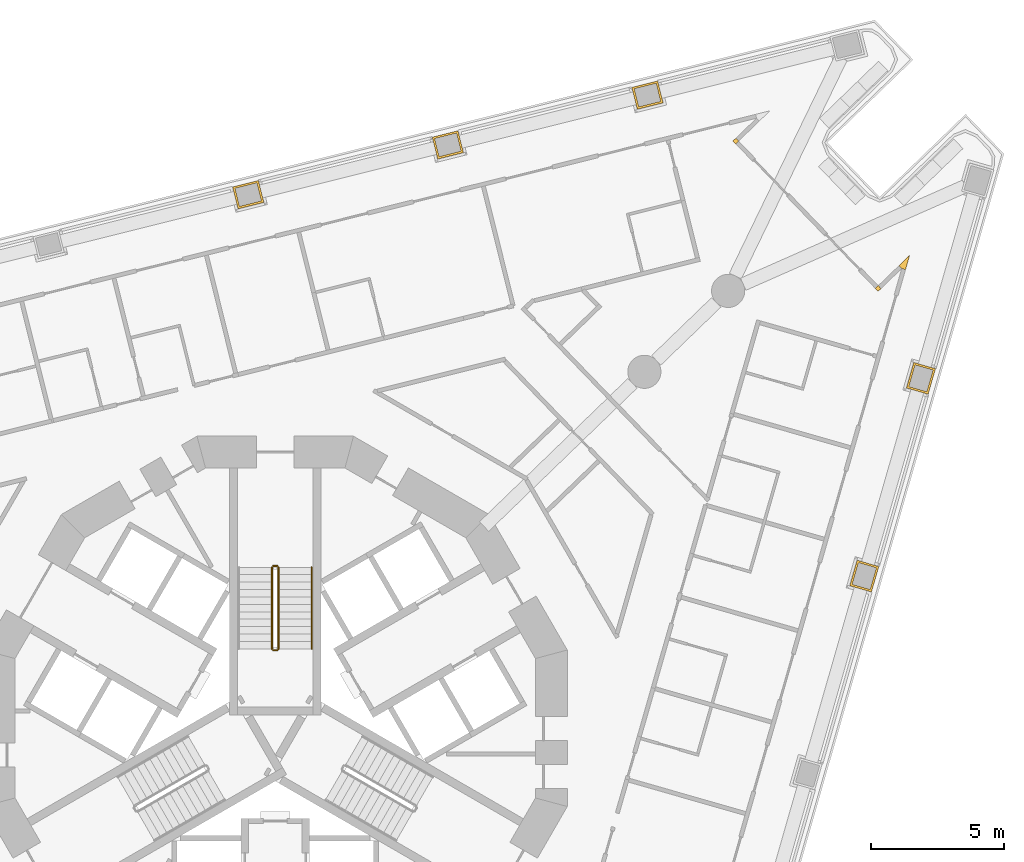
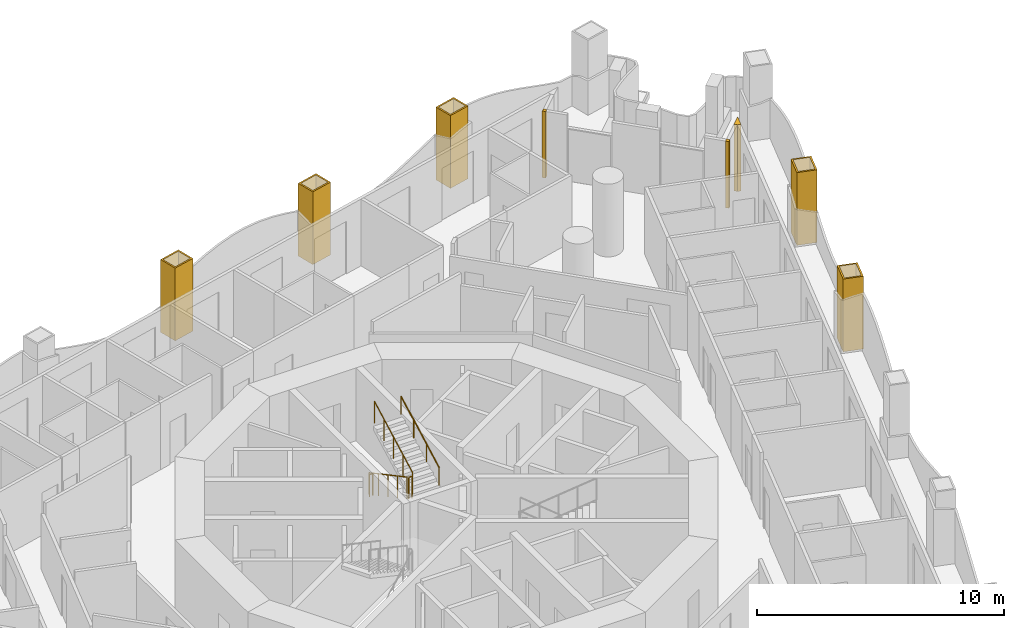
# One storey, part 18 of 20: 8 coverings, 5 railings.
"""IFC4 building model written with IfcOpenShell, lengths in metres."""

from ifc_helpers import new_model, si_unit, direction, frame, origin, origin_2d, place, context, subcontext, project, spatial, polyline, circle, outline, extrude, material, layer, layer_set, type_object, element, save


model = new_model("IFC4")

# Units and contexts
model_context = context("Model", 3, precision=1e-05, world=origin(), true_north=direction((0.0, 1.0)))
body_context = subcontext(model_context, "Body", "Model", "MODEL_VIEW")
ifc_project = project(units=[si_unit("LENGTHUNIT", "METRE"), si_unit("AREAUNIT", "SQUARE_METRE"), si_unit("VOLUMEUNIT", "CUBIC_METRE"), si_unit("PLANEANGLEUNIT", "RADIAN"), si_unit("MASSUNIT", "GRAM", prefix="KILO")], contexts=[model_context])

# Site, building, storey
site_placement = place(None, origin())
site = spatial("IfcSite", under=ifc_project, at=site_placement, CompositionType="ELEMENT")
building_placement = place(site_placement, origin())
building = spatial("IfcBuilding", under=site, at=building_placement, Name="Trine Commons Tower", CompositionType="ELEMENT")
storey_placement = place(building_placement, frame((0.0, 0.0, 112.5)))
storey = spatial("IfcBuildingStorey", under=building, at=storey_placement, Name="L28", CompositionType="ELEMENT", Elevation=112.5)

# Coverings
ifc_material_1 = material(Name="Aluminium-framed insulated wall panel", Category="aluminium")
ifc_layer_1 = layer(ifc_material_1, 0.14990234375)
ifc_layer_set_1 = layer_set([ifc_layer_1], Name="Aluminium-framed insulated wall panel")
covering_type_1 = type_object("IfcCoveringType", Name="Glazing corner post, aluminium", PredefinedType="CLADDING", material=ifc_layer_set_1)
covering_1_placement = place(storey_placement, origin())
element("IfcCovering", 1, at=covering_1_placement, inside=storey, type_object=covering_type_1, Name="Glazing corner post 3-06", PredefinedType="CLADDING", context=body_context, shape_type="SweptSolid", body=[
    extrude(outline(polyline([(97.36328125, 84.536376953125), (97.47119140625, 84.640380859375), (97.47119140625, 84.640380859375), (97.366943359375, 84.748291015625), (97.259033203125, 84.644287109375), (97.36328125, 84.536376953125)])), origin(), (0.0, 0.0, 1.0), 3.300048828125),
])
covering_2_placement = place(storey_placement, origin())
element("IfcCovering", 2, at=covering_2_placement, inside=storey, type_object=covering_type_1, Name="Glazing corner post 3-07", PredefinedType="CLADDING", context=body_context, shape_type="SweptSolid", body=[
    extrude(outline(polyline([(102.62890625, 79.083740234375), (102.73291015625, 78.975830078125), (102.8408203125, 79.080078125), (102.73681640625, 79.18798828125), (102.73681640625, 79.18798828125), (102.62890625, 79.083740234375)])), origin(), (0.0, 0.0, 1.0), 3.300048828125),
])
covering_3_placement = place(storey_placement, origin())
element("IfcCovering", 3, at=covering_3_placement, inside=storey, type_object=covering_type_1, Name="Glazing corner post 3-08", PredefinedType="CLADDING", context=body_context, shape_type="SweptSolid", body=[
    extrude(outline(polyline([(103.76611328125, 79.79296875), (103.92041015625, 80.3310546875), (103.517578125, 79.942138671875), (103.621826171875, 79.834228515625), (103.76611328125, 79.79296875)])), origin(), (0.0, 0.0, 1.0), 3.300048828125),
])
ifc_material_2 = material(Name="Limestone, honed", Category="masonry")
ifc_layer_2 = layer(ifc_material_2, 0.074951171875)
ifc_layer_set_2 = layer_set([ifc_layer_2], Name="Limestone, honed")
covering_type_2 = type_object("IfcCoveringType", Name="Limestone column cladding 75", PredefinedType="CLADDING", material=ifc_layer_set_2)
covering_4_placement = place(storey_placement, origin())
element("IfcCovering", 4, at=covering_4_placement, inside=storey, type_object=covering_type_2, Name="Limestone pier cladding 3-13", PredefinedType="CLADDING", context=body_context, shape_type="SweptSolid", body=[
    extrude(outline(polyline([(79.569091796875, 82.32861328125), (79.36328125, 83.1533203125), (78.39306640625, 82.91162109375), (78.598876953125, 82.0869140625), (79.569091796875, 82.32861328125)]), holes=[polyline([(79.47802734375, 82.38330078125), (79.308837890625, 83.0625), (78.484130859375, 82.85693359375), (78.6533203125, 82.177734375), (79.47802734375, 82.38330078125)])]), origin(), (0.0, 0.0, 1.0), 3.60009765625),
])
covering_5_placement = place(storey_placement, origin())
element("IfcCovering", 5, at=covering_5_placement, inside=storey, type_object=covering_type_2, Name="Limestone pier cladding 3-14", PredefinedType="CLADDING", context=body_context, shape_type="SweptSolid", body=[
    extrude(outline(polyline([(87.09619140625, 84.205322265625), (86.890625, 85.030029296875), (85.92041015625, 84.7880859375), (86.1259765625, 83.96337890625), (87.09619140625, 84.205322265625)]), holes=[polyline([(87.00537109375, 84.260009765625), (86.8359375, 84.939208984375), (86.01123046875, 84.733642578125), (86.1806640625, 84.054443359375), (87.00537109375, 84.260009765625)])]), origin(), (0.0, 0.0, 1.0), 3.60009765625),
])
covering_6_placement = place(storey_placement, origin())
element("IfcCovering", 6, at=covering_6_placement, inside=storey, type_object=covering_type_2, Name="Limestone pier cladding 3-15", PredefinedType="CLADDING", context=body_context, shape_type="SweptSolid", body=[
    extrude(outline(polyline([(94.62353515625, 86.082275390625), (94.417724609375, 86.906982421875), (93.447509765625, 86.6650390625), (93.6533203125, 85.84033203125), (94.62353515625, 86.082275390625)]), holes=[polyline([(94.532470703125, 86.13671875), (94.36328125, 86.81591796875), (93.53857421875, 86.6103515625), (93.707763671875, 85.93115234375), (94.532470703125, 86.13671875)])]), origin(), (0.0, 0.0, 1.0), 3.60009765625),
])
covering_7_placement = place(storey_placement, origin())
element("IfcCovering", 7, at=covering_7_placement, inside=storey, type_object=covering_type_2, Name="Limestone pier cladding 3-18", PredefinedType="CLADDING", context=body_context, shape_type="SweptSolid", body=[
    extrude(outline(polyline([(104.895263671875, 76.057373046875), (104.078125, 76.29150390625), (103.802490234375, 75.330322265625), (104.61962890625, 75.095947265625), (104.895263671875, 76.057373046875)]), holes=[polyline([(104.802490234375, 76.005859375), (104.129638671875, 76.19873046875), (103.895263671875, 75.381591796875), (104.568115234375, 75.188720703125), (104.802490234375, 76.005859375)])]), origin(), (0.0, 0.0, 1.0), 3.60009765625),
])
covering_8_placement = place(storey_placement, origin())
element("IfcCovering", 8, at=covering_8_placement, inside=storey, type_object=covering_type_2, Name="Limestone pier cladding 3-19", PredefinedType="CLADDING", context=body_context, shape_type="SweptSolid", body=[
    extrude(outline(polyline([(102.757080078125, 68.60009765625), (101.93994140625, 68.83447265625), (101.664306640625, 67.873291015625), (102.481201171875, 67.638916015625), (102.757080078125, 68.60009765625)]), holes=[polyline([(102.664306640625, 68.548828125), (101.9912109375, 68.74169921875), (101.757080078125, 67.924560546875), (102.429931640625, 67.731689453125), (102.664306640625, 68.548828125)])]), origin(), (0.0, 0.0, 1.0), 3.60009765625),
])

# Railings
ifc_material_3 = material(Name="Stainless steel balustrade", Category="steel")
railing_type_1 = type_object("IfcRailingType", Name="Stair guard, steel balustrade 1100", PredefinedType="GUARDRAIL", material=ifc_material_3)
railing_1_placement = place(storey_placement, frame((79.875, 68.570556640625, 0.14990234375)))
element("IfcRailing", 9, at=railing_1_placement, inside=storey, type_object=railing_type_1, Name="L28 ST1A stair guard 1", PredefinedType="GUARDRAIL", context=body_context, shape_type="SweptSolid", body=[
    extrude(circle(Radius=0.02392578125, at=origin_2d()), frame((0.0, 0.0, 1.076171875), z_axis=(0.0, -0.881467505477, 0.472244678941), x_axis=(1.0, 0.0, 0.0)), (0.0, 0.0, 1.0), 3.494140625),
    extrude(circle(Radius=0.02099609375, at=origin_2d()), origin(), (0.0, 0.0, 1.0), 1.052001953125),
    extrude(circle(Radius=0.02099609375, at=origin_2d()), frame((0.0, -0.77001953125, 0.41259765625)), (0.0, 0.0, 1.0), 1.052001953125),
    extrude(circle(Radius=0.02099609375, at=origin_2d()), frame((0.0, -1.5400390625, 0.8251953125)), (0.0, 0.0, 1.0), 1.052001953125),
    extrude(circle(Radius=0.02099609375, at=origin_2d()), frame((0.0, -2.31005859375, 1.237548828125)), (0.0, 0.0, 1.0), 1.052001953125),
    extrude(circle(Radius=0.02099609375, at=origin_2d()), frame((0.0, -3.080078125, 1.650146484375)), (0.0, 0.0, 1.0), 1.052001953125),
])
railing_2_placement = place(storey_placement, frame((79.925048828125, 65.440673828125, 1.800048828125)))
element("IfcRailing", 10, at=railing_2_placement, inside=storey, type_object=railing_type_1, Name="L28 ST1A stair guard 2", PredefinedType="GUARDRAIL", context=body_context, shape_type="SweptSolid", body=[
    extrude(circle(Radius=0.02392578125, at=origin_2d()), frame((0.0, 0.0, 1.076171875), z_axis=(1.0, 0.0, 0.0), x_axis=(0.0, 1.0, 0.0)), (0.0, 0.0, 1.0), 0.14990234375),
    extrude(circle(Radius=0.02099609375, at=origin_2d()), origin(), (0.0, 0.0, 1.0), 1.052001953125),
    extrude(circle(Radius=0.02099609375, at=origin_2d()), frame((0.14990234375, 0.0, 0.0)), (0.0, 0.0, 1.0), 1.052001953125),
])
railing_3_placement = place(storey_placement, frame((80.125, 65.490478515625, 1.949951171875)))
element("IfcRailing", 11, at=railing_3_placement, inside=storey, type_object=railing_type_1, Name="L28 ST1A stair guard 3", PredefinedType="GUARDRAIL", context=body_context, shape_type="SweptSolid", body=[
    extrude(circle(Radius=0.02392578125, at=origin_2d()), frame((0.0, 0.0, 1.076171875), z_axis=(0.0, 0.881467505477, 0.472244678941), x_axis=(-1.0, 0.0, 0.0)), (0.0, 0.0, 1.0), 3.494140625),
    extrude(circle(Radius=0.02099609375, at=origin_2d()), origin(), (0.0, 0.0, 1.0), 1.052001953125),
    extrude(circle(Radius=0.02099609375, at=origin_2d()), frame((0.0, 0.77001953125, 0.41259765625)), (0.0, 0.0, 1.0), 1.052001953125),
    extrude(circle(Radius=0.02099609375, at=origin_2d()), frame((0.0, 1.5400390625, 0.8251953125)), (0.0, 0.0, 1.0), 1.052001953125),
    extrude(circle(Radius=0.02099609375, at=origin_2d()), frame((0.0, 2.31005859375, 1.237548828125)), (0.0, 0.0, 1.0), 1.052001953125),
    extrude(circle(Radius=0.02099609375, at=origin_2d()), frame((0.0, 3.080078125, 1.650146484375)), (0.0, 0.0, 1.0), 1.052001953125),
])
railing_4_placement = place(storey_placement, frame((79.925048828125, 68.62060546875, 0.0)))
element("IfcRailing", 12, at=railing_4_placement, inside=storey, type_object=railing_type_1, Name="L28 ST1A stair guard 4", PredefinedType="GUARDRAIL", context=body_context, shape_type="SweptSolid", body=[
    extrude(circle(Radius=0.02392578125, at=origin_2d()), frame((0.0, 0.0, 1.076171875), z_axis=(1.0, 0.0, 0.0), x_axis=(0.0, 1.0, 0.0)), (0.0, 0.0, 1.0), 0.14990234375),
    extrude(circle(Radius=0.02099609375, at=origin_2d()), origin(), (0.0, 0.0, 1.0), 1.052001953125),
    extrude(circle(Radius=0.02099609375, at=origin_2d()), frame((0.14990234375, 0.0, 0.0)), (0.0, 0.0, 1.0), 1.052001953125),
])
ifc_material_4 = material(Name="Stainless steel handrail", Category="steel")
railing_type_2 = type_object("IfcRailingType", Name="Stair handrail, steel 900", PredefinedType="HANDRAIL", material=ifc_material_4)
railing_5_placement = place(storey_placement, frame((81.375, 65.490478515625, 1.949951171875)))
element("IfcRailing", 13, at=railing_5_placement, inside=storey, type_object=railing_type_2, Name="L28 ST1A stair handrail 2", PredefinedType="HANDRAIL", context=body_context, shape_type="SweptSolid", body=[
    extrude(circle(Radius=0.02099609375, at=origin_2d()), frame((0.0, 0.0, 0.87890625), z_axis=(0.0, 0.881467505477, 0.472244678941), x_axis=(-1.0, 0.0, 0.0)), (0.0, 0.0, 1.0), 3.494140625),
    extrude(circle(Radius=0.01513671875, at=origin_2d()), origin(), (0.0, 0.0, 1.0), 0.85791015625),
    extrude(circle(Radius=0.01513671875, at=origin_2d()), frame((0.0, 1.026611328125, 0.550048828125)), (0.0, 0.0, 1.0), 0.85791015625),
    extrude(circle(Radius=0.01513671875, at=origin_2d()), frame((0.0, 2.053466796875, 1.10009765625)), (0.0, 0.0, 1.0), 0.85791015625),
    extrude(circle(Radius=0.01513671875, at=origin_2d()), frame((0.0, 3.080078125, 1.650146484375)), (0.0, 0.0, 1.0), 0.85791015625),
])

save(model, "model.ifc")
